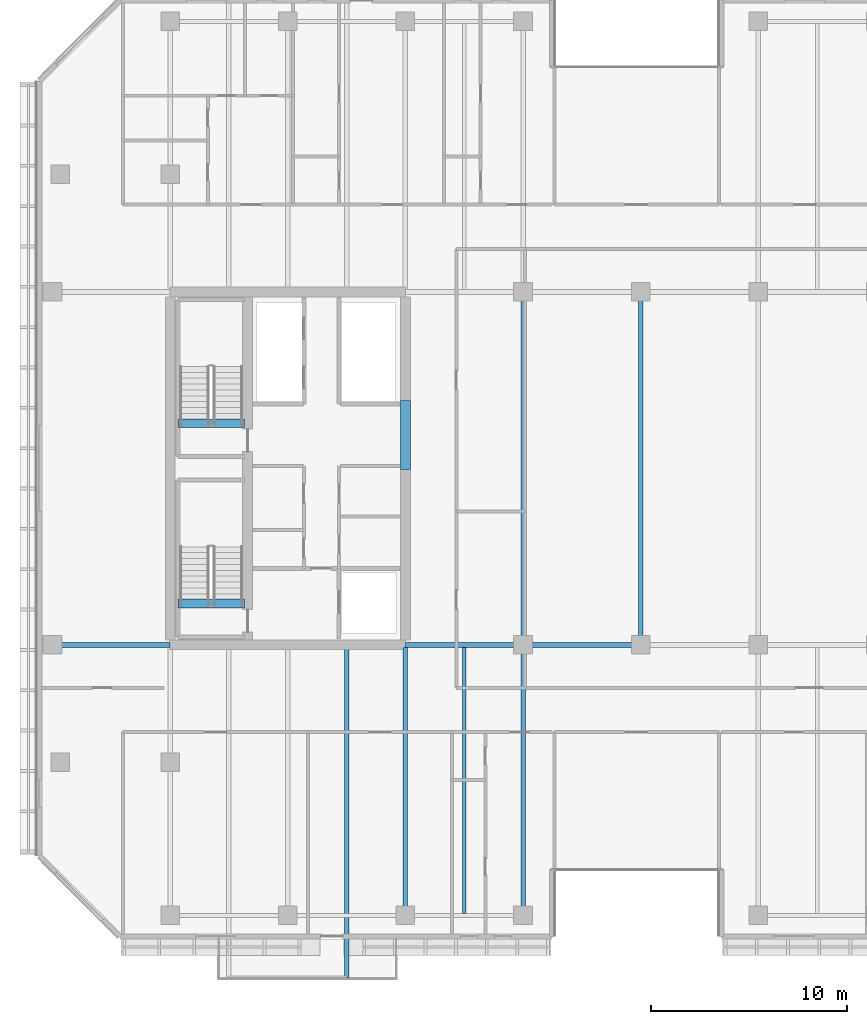
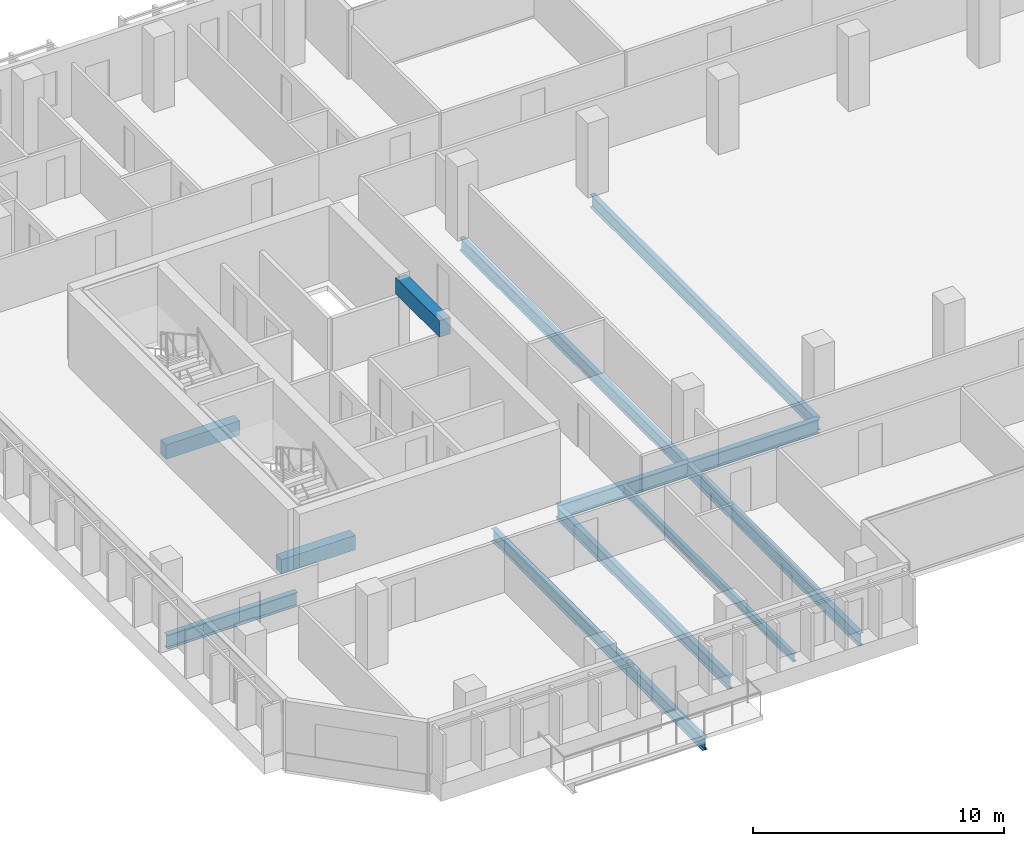
# One storey, part 3 of 23: 12 beams.
"""IFC4 building model written with IfcOpenShell, lengths in metres."""

from ifc_helpers import new_model, si_unit, direction, frame, origin, origin_2d, place, context, subcontext, project, spatial, rectangle, i_section, extrude, material, material_profile, profile_set, type_object, element, save


model = new_model("IFC4")

# Units and contexts
model_context = context("Model", 3, precision=1e-05, world=origin(), true_north=direction((0.0, 1.0)))
body_context = subcontext(model_context, "Body", "Model", "MODEL_VIEW")
ifc_project = project(units=[si_unit("LENGTHUNIT", "METRE"), si_unit("AREAUNIT", "SQUARE_METRE"), si_unit("VOLUMEUNIT", "CUBIC_METRE"), si_unit("PLANEANGLEUNIT", "RADIAN"), si_unit("MASSUNIT", "GRAM", prefix="KILO")], contexts=[model_context])

# Site, building, storey
site_placement = place(None, origin())
site = spatial("IfcSite", under=ifc_project, at=site_placement, CompositionType="ELEMENT")
building_placement = place(site_placement, origin())
building = spatial("IfcBuilding", under=site, at=building_placement, Name="Tanjung Sevakor Pilgrim Tower", CompositionType="ELEMENT")
storey_placement = place(building_placement, frame((0.0, 0.0, 119.4599609375)))
storey = spatial("IfcBuildingStorey", under=building, at=storey_placement, Name="L33", CompositionType="ELEMENT", Elevation=119.4599609375)

# Beams
ifc_material_1 = material(Name="Steel S355J2", Category="steel")
ifc_material_profile_1 = material_profile(ifc_material_1, i_section(OverallWidth=0.25439453125, OverallDepth=0.6875, WebThickness=0.01318359375, FlangeThickness=0.02099609375, FilletRadius=0.01513671875, at=origin_2d()))
ifc_profile_set_1 = profile_set([ifc_material_profile_1], Name="Steel S355J2")
beam_type_1 = type_object("IfcBeamType", Name="BM-B-G2-UB_686x254x152", PredefinedType="BEAM", material=ifc_profile_set_1)
for number, where, z_axis, x_axis, name in (
    (1, (18.0, 24.60009765625, -0.563720703125), (1.0, 0.0, 0.0), (0.0, 1.0, 0.0), "L33 Primary Floor Girder MAIN Y246-01"),
    (2, (36.0, 24.60009765625, -0.563720703125), (1.0, 0.0, 0.0), (0.0, 1.0, 0.0), "L33 Primary Floor Girder MAIN Y246-02"),
    (3, (42.0, 24.60009765625, -0.563720703125), (1.0, 0.0, 0.0), (0.0, 1.0, 0.0), "L33 Primary Floor Girder MAIN Y246-03"),
):
    element("IfcBeam", number, at=place(storey_placement, frame(where, z_axis=z_axis, x_axis=x_axis)), inside=storey, type_object=beam_type_1, Name=name, PredefinedType="BEAM", context=body_context, shape_type="SweptSolid", body=[
        extrude(i_section(OverallWidth=0.25439453125, OverallDepth=0.6875, WebThickness=0.01318359375, FlangeThickness=0.02099609375, FilletRadius=0.01513671875, at=origin_2d()), origin(), (0.0, 0.0, 1.0), 6.0),
    ])
ifc_material_2 = material(Name="Steel S355J2", Category="steel")
ifc_material_profile_2 = material_profile(ifc_material_2, i_section(OverallWidth=0.230224609375, OverallDepth=0.6171875, WebThickness=0.01318359375, FlangeThickness=0.022216796875, FilletRadius=0.0126953125, at=origin_2d()))
ifc_profile_set_2 = profile_set([ifc_material_profile_2], Name="Steel S355J2")
beam_type_2 = type_object("IfcBeamType", Name="BM-B-G3-UB_610x229x140", PredefinedType="BEAM", material=ifc_profile_set_2)
beam_1_placement = place(storey_placement, frame((36.0, 10.800048828125, -0.528564453125), z_axis=(0.0, 1.0, 0.0), x_axis=(-1.0, 0.0, 0.0)))
element("IfcBeam", 4, at=beam_1_placement, inside=storey, type_object=beam_type_2, Name="L33 MAIN Girder 005", PredefinedType="BEAM", context=body_context, shape_type="SweptSolid", body=[
    extrude(i_section(OverallWidth=0.230224609375, OverallDepth=0.6171875, WebThickness=0.01318359375, FlangeThickness=0.022216796875, FilletRadius=0.0126953125, at=origin_2d()), origin(), (0.0, 0.0, 1.0), 13.672607421875),
])
beam_2_placement = place(storey_placement, frame((42.0, 10.800048828125, -0.528564453125), z_axis=(0.0, 1.0, 0.0), x_axis=(-1.0, 0.0, 0.0)))
element("IfcBeam", 5, at=beam_2_placement, inside=storey, type_object=beam_type_2, Name="L33 MAIN Girder 009", PredefinedType="BEAM", context=body_context, shape_type="SweptSolid", body=[
    extrude(i_section(OverallWidth=0.230224609375, OverallDepth=0.6171875, WebThickness=0.01318359375, FlangeThickness=0.022216796875, FilletRadius=0.0126953125, at=origin_2d()), origin(), (0.0, 0.0, 1.0), 13.800048828125),
])
for number, where, z_axis, x_axis, name in (
    (6, (42.0, 24.60009765625, -0.528564453125), (0.0, 1.0, 0.0), (-1.0, 0.0, 0.0), "L33 MAIN Girder 010"),
    (7, (48.0, 24.60009765625, -0.528564453125), (0.0, 1.0, 0.0), (-1.0, 0.0, 0.0), "L33 MAIN Girder 012"),
):
    element("IfcBeam", number, at=place(storey_placement, frame(where, z_axis=z_axis, x_axis=x_axis)), inside=storey, type_object=beam_type_2, Name=name, PredefinedType="BEAM", context=body_context, shape_type="SweptSolid", body=[
        extrude(i_section(OverallWidth=0.230224609375, OverallDepth=0.6171875, WebThickness=0.01318359375, FlangeThickness=0.022216796875, FilletRadius=0.0126953125, at=origin_2d()), origin(), (0.0, 0.0, 1.0), 18.0),
    ])
ifc_material_3 = material(Name="Steel S355J2", Category="steel")
ifc_material_profile_3 = material_profile(ifc_material_3, i_section(OverallWidth=0.22900390625, OverallDepth=0.6123046875, WebThickness=0.011962890625, FlangeThickness=0.01953125, FilletRadius=0.0126953125, at=origin_2d()))
ifc_profile_set_3 = profile_set([ifc_material_profile_3], Name="Steel S355J2")
beam_type_3 = type_object("IfcBeamType", Name="BM-B-G4-UB_610x229x125", PredefinedType="BEAM", material=ifc_profile_set_3)
beam_3_placement = place(storey_placement, frame((33.0, 24.47265625, -0.526123046875), z_axis=(0.0, -1.0, 0.0), x_axis=(1.0, 0.0, 0.0)))
element("IfcBeam", 8, at=beam_3_placement, inside=storey, type_object=beam_type_3, Name="L33 Balcony Cantilever Beam MAIN-S1-2", PredefinedType="BEAM", context=body_context, shape_type="SweptSolid", body=[
    extrude(i_section(OverallWidth=0.22900390625, OverallDepth=0.6123046875, WebThickness=0.011962890625, FlangeThickness=0.01953125, FilletRadius=0.0126953125, at=origin_2d()), origin(), (0.0, 0.0, 1.0), 16.8525390625),
])
ifc_material_4 = material(Name="Steel S355J2", Category="steel")
ifc_material_profile_4 = material_profile(ifc_material_4, i_section(OverallWidth=0.1787109375, OverallDepth=0.409423828125, WebThickness=0.0087890625, FlangeThickness=0.014404296875, FilletRadius=0.01025390625, at=origin_2d()))
ifc_profile_set_4 = profile_set([ifc_material_profile_4], Name="Steel S355J2")
beam_type_4 = type_object("IfcBeamType", Name="BM-B-J3-UB_406x178x67", PredefinedType="JOIST", material=ifc_profile_set_4)
beam_4_placement = place(storey_placement, frame((39.0, 10.89990234375, -0.424560546875), z_axis=(0.0, 1.0, 0.0), x_axis=(-1.0, 0.0, 0.0)))
element("IfcBeam", 9, at=beam_4_placement, inside=storey, type_object=beam_type_4, Name="L33 MAIN Joist 007", PredefinedType="JOIST", context=body_context, shape_type="SweptSolid", body=[
    extrude(i_section(OverallWidth=0.1787109375, OverallDepth=0.409423828125, WebThickness=0.0087890625, FlangeThickness=0.014404296875, FilletRadius=0.01025390625, at=origin_2d()), origin(), (0.0, 0.0, 1.0), 13.57275390625),
])
ifc_material_5 = material(Name="Concrete C60/75", Category="concrete")
ifc_material_profile_5 = material_profile(ifc_material_5, rectangle(XDim=0.5, YDim=0.800048828125, at=origin_2d()))
ifc_profile_set_5 = profile_set([ifc_material_profile_5], Name="Concrete C60/75")
beam_type_5 = type_object("IfcBeamType", Name="BM-B-LN2-RC-BM_500x800", PredefinedType="LINTEL", material=ifc_profile_set_5)
beam_5_placement = place(storey_placement, frame((36.0, 33.550048828125, 2.949951171875), z_axis=(0.0, 1.0, 0.0), x_axis=(-1.0, 0.0, 0.0)))
element("IfcBeam", 10, at=beam_5_placement, inside=storey, type_object=beam_type_5, Name="L33 W Core Coupling Lintel", PredefinedType="LINTEL", context=body_context, shape_type="SweptSolid", body=[
    extrude(rectangle(XDim=0.5, YDim=0.800048828125, at=origin_2d()), origin(), (0.0, 0.0, 1.0), 3.5),
])
ifc_material_6 = material(Name="Concrete C60/75", Category="concrete")
ifc_material_profile_6 = material_profile(ifc_material_6, rectangle(XDim=0.449951171875, YDim=0.699951171875, at=origin_2d()))
ifc_profile_set_6 = profile_set([ifc_material_profile_6], Name="Concrete C60/75")
beam_type_6 = type_object("IfcBeamType", Name="BM-B-LN3-RC-BM_450x700", PredefinedType="LINTEL", material=ifc_profile_set_6)
for number, where, z_axis, x_axis, name in (
    (11, (24.39990234375, 26.699951171875, -0.349853515625), (1.0, 0.0, 0.0), (0.0, 1.0, 0.0), "L33 TS-W1 Stair Threshold Beam"),
    (12, (24.39990234375, 35.89990234375, -0.349853515625), (1.0, 0.0, 0.0), (0.0, 1.0, 0.0), "L33 TS-W2 Stair Threshold Beam"),
):
    element("IfcBeam", number, at=place(storey_placement, frame(where, z_axis=z_axis, x_axis=x_axis)), inside=storey, type_object=beam_type_6, Name=name, PredefinedType="LINTEL", context=body_context, shape_type="SweptSolid", body=[
        extrude(rectangle(XDim=0.449951171875, YDim=0.699951171875, at=origin_2d()), origin(), (0.0, 0.0, 1.0), 3.400146484375),
    ])

save(model, "model.ifc")
